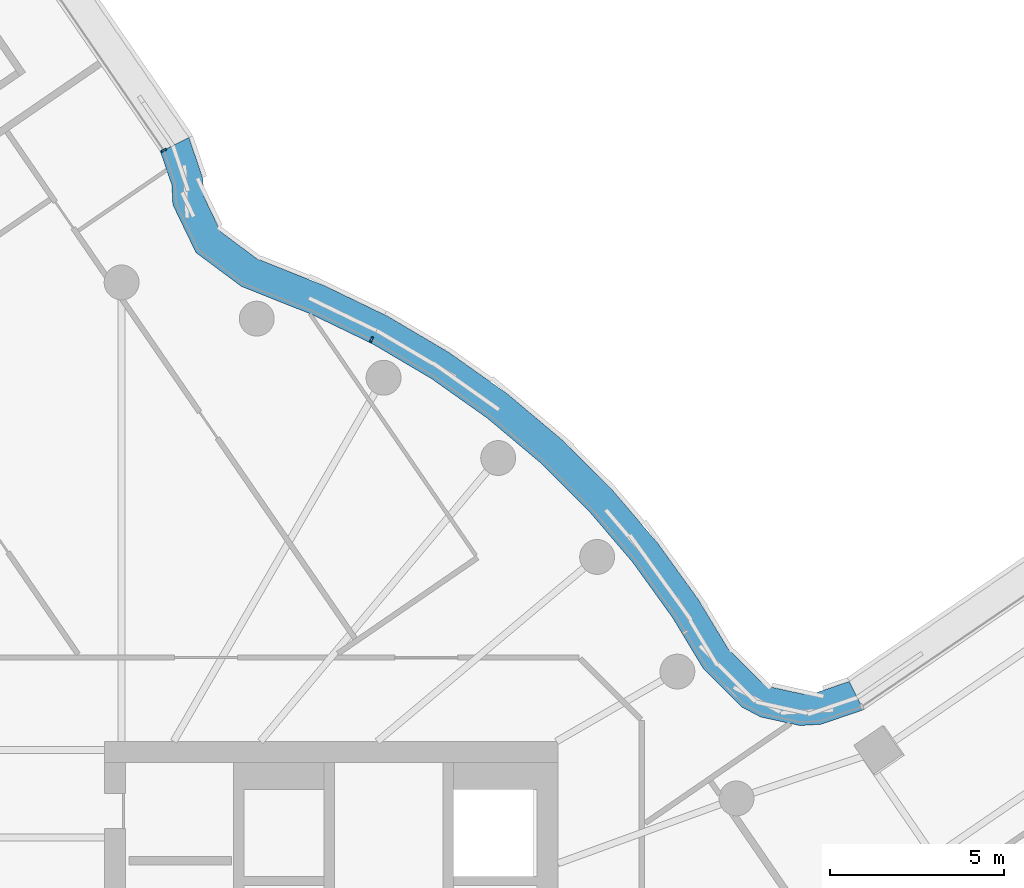
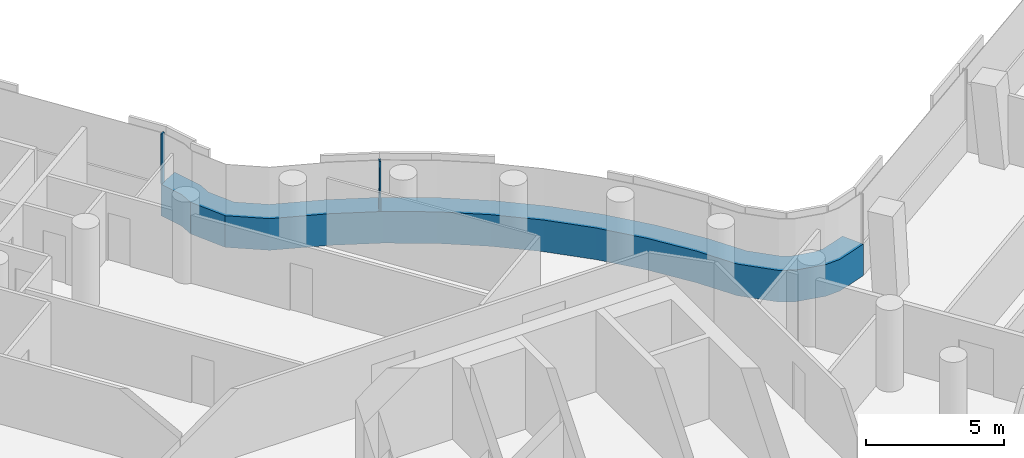
# One storey, part 16 of 33: 3 members, 2 elements without a shape of their own.
"""IFC4 building model written with IfcOpenShell, lengths in metres."""

from ifc_helpers import new_model, si_unit, direction, frame, origin, origin_2d, place, context, subcontext, project, spatial, polyline, rectangle, outline, extrude, material, layer, layer_set, material_profile, profile_set, type_object, element, aggregate, save


model = new_model("IFC4")

# Units and contexts
model_context = context("Model", 3, precision=1e-05, world=origin(), true_north=direction((0.0, 1.0)))
body_context = subcontext(model_context, "Body", "Model", "MODEL_VIEW")
ifc_project = project(units=[si_unit("LENGTHUNIT", "METRE"), si_unit("AREAUNIT", "SQUARE_METRE"), si_unit("VOLUMEUNIT", "CUBIC_METRE"), si_unit("PLANEANGLEUNIT", "RADIAN"), si_unit("MASSUNIT", "GRAM", prefix="KILO")], contexts=[model_context])

# Site, building, storey
site_placement = place(None, origin())
site = spatial("IfcSite", under=ifc_project, at=site_placement, CompositionType="ELEMENT")
building_placement = place(site_placement, origin())
building = spatial("IfcBuilding", under=site, at=building_placement, Name="Tamarind Cross Interchange Tower", CompositionType="ELEMENT")
storey_placement = place(building_placement, frame((0.0, 0.0, 159.25)))
storey = spatial("IfcBuildingStorey", under=building, at=storey_placement, Name="L39", CompositionType="ELEMENT", Elevation=159.25)

# Curtain wall, members
ifc_material_1 = material(Name="Aluminium 6063-T6", Category="aluminium")
ifc_layer = layer(ifc_material_1, 0.159912109375)
ifc_layer_set = layer_set([ifc_layer], Name="Aluminium 6063-T6")
curtain_wall_type = type_object("IfcCurtainWallType", Name="Office curtain wall, 9.0 m bays", PredefinedType="NOTDEFINED", material=ifc_layer_set)
curtain_wall_1_placement = place(storey_placement, origin())
curtain_wall_1 = element("IfcCurtainWall", 1, at=curtain_wall_1_placement, inside=storey, type_object=curtain_wall_type, Name="CWS-L39-10", PredefinedType="NOTDEFINED")
ifc_material_2 = material(Name="Aluminium and insulated spandrel panel", Category="aluminium")
member_type_1 = type_object("IfcMemberType", Name="Floor-edge blade transom", PredefinedType="USERDEFINED", material=ifc_material_2)
member_1_placement = place(storey_placement, origin())
member_1 = element("IfcMember", 2, at=member_1_placement, type_object=member_type_1, Name="CWT-L39-10", ObjectType="TRANSOM", PredefinedType="USERDEFINED", context=body_context, shape_type="SweptSolid", body=[
    extrude(outline(polyline([(25.25, 10.404296875), (24.032958984375, 9.98828125), (23.42333984375, 9.953857421875), (22.30126953125, 10.199951171875), (21.7587890625, 10.488037109375), (20.66015625, 11.58740234375), (19.78125, 13.04541015625), (18.636474609375, 14.634521484375), (17.3642578125, 16.12353515625), (15.973388671875, 17.50244140625), (14.4736328125, 18.76171875), (12.874755859375, 19.892822265625), (11.188232421875, 20.88818359375), (9.42333984375, 21.741455078125), (7.42529296875, 22.53759765625), (6.125, 23.505615234375), (5.462890625, 24.876708984375), (5.43212890625, 25.447265625), (5.1103515625, 26.393798828125), (5.922607421875, 26.801025390625), (6.32421875, 25.61962890625), (6.35205078125, 25.10546875), (6.839599609375, 24.095703125), (7.8681640625, 23.330078125), (9.786376953125, 22.565673828125), (11.613525390625, 21.68212890625), (13.3642578125, 20.64892578125), (15.023681640625, 19.474853515625), (16.580810546875, 18.167724609375), (18.0244140625, 16.736572265625), (19.344970703125, 15.19091796875), (20.533203125, 13.541748046875), (21.374267578125, 12.14599609375), (22.300048828125, 11.219482421875), (22.614501953125, 11.052490234375), (23.49560546875, 10.859375), (23.858642578125, 10.8798828125), (24.84326171875, 11.21630859375), (25.25, 10.404296875)])), origin(), (0.0, 0.0, 1.0), 1.39990234375),
])
ifc_material_profile = material_profile(ifc_material_1, rectangle(XDim=0.06005859375, YDim=0.159912109375, at=origin_2d()), Name="Mullion CW1")
ifc_profile_set = profile_set([ifc_material_profile], Name="Aluminium 6063-T6")
member_type_2 = type_object("IfcMemberType", Name="Mullion CW1", PredefinedType="MULLION", material=ifc_profile_set)
member_2_placement = place(storey_placement, frame((11.154296875, 21.015380859375, 1.39990234375), z_axis=(0.0, 0.0, 1.0), x_axis=(-0.900272776334, 0.435326231914, 0.0)))
member_2 = element("IfcMember", 3, at=member_2_placement, type_object=member_type_2, Name="CWM-L39-10-02", PredefinedType="MULLION", context=body_context, shape_type="SweptSolid", body=[
    extrude(rectangle(XDim=0.06005859375, YDim=0.159912109375, at=origin_2d()), origin(), (0.0, 0.0, 1.0), 2.210205078125),
])
aggregate(curtain_wall_1, [member_2, member_1])

# Curtain wall, member
curtain_wall_2_placement = place(storey_placement, origin())
curtain_wall_2 = element("IfcCurtainWall", 4, at=curtain_wall_2_placement, inside=storey, type_object=curtain_wall_type, Name="CWS-L39-11", PredefinedType="NOTDEFINED")
member_3_placement = place(storey_placement, frame((5.20068359375, 26.43896484375, 1.39990234375), z_axis=(0.0, 0.0, 1.0), x_axis=(-0.448204316564, 0.893931144224, 0.0)))
member_3 = element("IfcMember", 5, at=member_3_placement, type_object=member_type_2, Name="CWM-L39-11-00", PredefinedType="MULLION", context=body_context, shape_type="SweptSolid", body=[
    extrude(rectangle(XDim=0.06005859375, YDim=0.159912109375, at=origin_2d()), origin(), (0.0, 0.0, 1.0), 2.210205078125),
])
aggregate(curtain_wall_2, [member_3])

save(model, "model.ifc")
